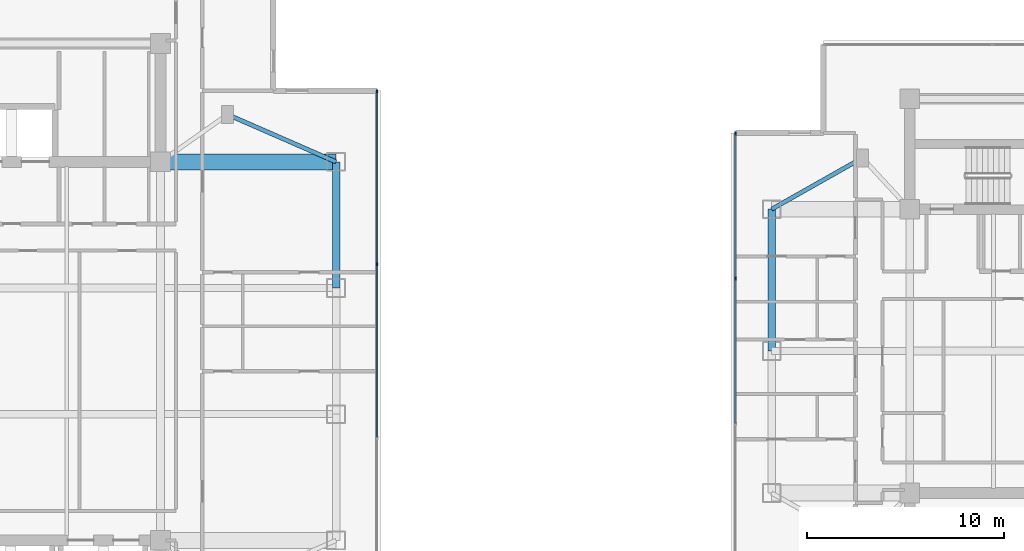
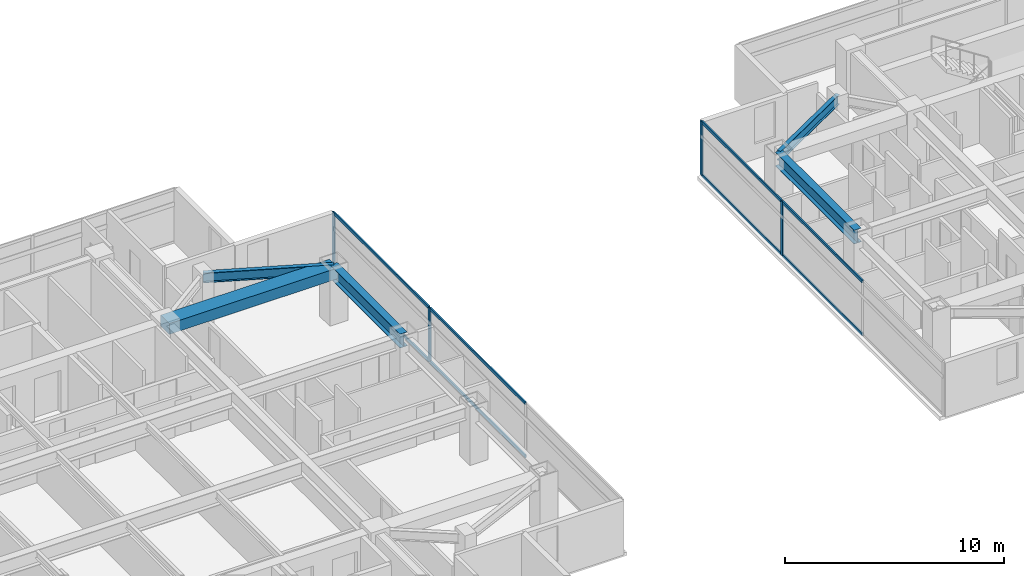
# One storey, part 6 of 24: 12 members, 5 beams, 2 elements without a shape of their own.
"""IFC4 building model written with IfcOpenShell, lengths in metres."""

import ifcopenshell
import ifcopenshell.guid

model = None  # the IFC model being written
_history = None  # IfcOwnerHistory: only IFC2X3 demands one
_inside = {}  # id of a spatial element -> (the spatial element, [elements in it])
_under = {}  # id of a project, library or spatial element -> (it, [spatial elements below it])
_declared = {}  # id of a project -> (the project, [libraries it declares])
_typed = {}  # id of a type object -> (the type object, [elements of that type])
_made_of = {}  # id of a material, layer set ... -> (it, [elements and type objects made of it])


def new_model(schema):
    """Start an empty IFC model of exactly this schema.

    Asked for "IFC4X3", IfcOpenShell would pick the latest addendum, in which some entities
    have other attributes; the version numbers below select the first issue.
    IFC2X3 requires an IfcOwnerHistory on every rooted entity: one is made here for all.
    """
    global model, _history
    if schema == "IFC4X3":
        model = ifcopenshell.file(schema_version=(4, 3, 0, 0))
    else:
        model = ifcopenshell.file(schema=schema)
    _inside.clear()
    _under.clear()
    _declared.clear()
    _typed.clear()
    _made_of.clear()
    _history = None
    if model.schema == "IFC2X3":
        org = make("IfcOrganization", Name="unknown")
        user = make(
            "IfcPersonAndOrganization",
            ThePerson=make("IfcPerson", FamilyName="unknown"),
            TheOrganization=org,
        )
        app = make(
            "IfcApplication",
            ApplicationDeveloper=org,
            Version="unknown",
            ApplicationFullName="unknown",
            ApplicationIdentifier="unknown",
        )
        _history = make(
            "IfcOwnerHistory",
            OwningUser=user,
            OwningApplication=app,
            ChangeAction="ADDED",
            CreationDate=0,
        )
    return model


def make(cls, **values):
    """One entity of the class cls with the attributes given. An attribute that is None is left unset."""
    return model.create_entity(
        cls, **{name: value for name, value in values.items() if value is not None}
    )


def rooted(cls, **values):
    """An entity with a GlobalId (a new one), such as an element, a storey or a relation."""
    return make(cls, GlobalId=ifcopenshell.guid.new(), OwnerHistory=_history, **values)


def si_unit(unit_type, name, prefix=None):
    """IfcSIUnit, for example si_unit("LENGTHUNIT", "METRE", prefix="MILLI")."""
    return make("IfcSIUnit", UnitType=unit_type, Prefix=prefix, Name=name)


def assignment(units):
    """IfcUnitAssignment: the units of a project."""
    return None if units is None else make("IfcUnitAssignment", Units=units)


def point(xyz):
    """IfcCartesianPoint."""
    return None if xyz is None else make("IfcCartesianPoint", Coordinates=xyz)


def direction(xyz):
    """IfcDirection."""
    return None if xyz is None else make("IfcDirection", DirectionRatios=xyz)


def frame(location, z_axis=None, x_axis=None):
    """IfcAxis2Placement3D, a coordinate frame: its origin and axes. An axis left out is left unset."""
    return make(
        "IfcAxis2Placement3D",
        Location=point(location),
        Axis=direction(z_axis),
        RefDirection=direction(x_axis),
    )


def frame_2d(location, x_axis=None):
    """IfcAxis2Placement2D, a coordinate frame in the plane: its origin and x axis."""
    return make(
        "IfcAxis2Placement2D", Location=point(location), RefDirection=direction(x_axis)
    )


def origin():
    """The frame at (0, 0, 0) with its axes left unset."""
    return frame((0.0, 0.0, 0.0))


def origin_2d():
    """The frame at (0, 0) in the plane with its x axis left unset."""
    return frame_2d((0.0, 0.0))


def place(relative_to, where):
    """IfcLocalPlacement: puts the frame where relative to a parent placement (None: the world)."""
    return make(
        "IfcLocalPlacement", PlacementRelTo=relative_to, RelativePlacement=where
    )


def context(
    kind, dimensions, precision=None, world=None, true_north=None, identifier=None
):
    """IfcGeometricRepresentationContext, for example the 3D "Model" context."""
    return make(
        "IfcGeometricRepresentationContext",
        ContextIdentifier=identifier,
        ContextType=kind,
        CoordinateSpaceDimension=dimensions,
        Precision=precision,
        WorldCoordinateSystem=world,
        TrueNorth=true_north,
    )


def subcontext(parent, identifier, kind, view, scale=None):
    """IfcGeometricRepresentationSubContext, for example "Body" below "Model"."""
    return make(
        "IfcGeometricRepresentationSubContext",
        ContextIdentifier=identifier,
        ContextType=kind,
        ParentContext=parent,
        TargetScale=scale,
        TargetView=view,
    )


def project(units=None, contexts=None):
    """IfcProject with its units and contexts."""
    return rooted(
        "IfcProject",
        Name="project",
        RepresentationContexts=contexts,
        UnitsInContext=assignment(units),
    )


def spatial(cls, under=None, at=None, **own):
    """A site, building, storey or space (cls), placed at a placement, below another one or the project."""
    s = rooted(cls, ObjectPlacement=at, **own)
    if under is not None:
        _under.setdefault(under.id(), (under, []))[1].append(s)
    return s


def profile(cls, at=None, kind="AREA", **sizes):
    """A parametric profile (cls). Its sizes go by their IFC names, for example OverallWidth=200.0."""
    return make(cls, ProfileType=kind, Position=at, **sizes)


def rectangle(**sizes):
    """IfcRectangleProfileDef."""
    return profile("IfcRectangleProfileDef", **sizes)


def i_section(**sizes):
    """IfcIShapeProfileDef."""
    return profile("IfcIShapeProfileDef", **sizes)


def extrude(swept, where, along, depth):
    """IfcExtrudedAreaSolid: the profile swept, set in the frame where, extruded along a direction by depth."""
    return make(
        "IfcExtrudedAreaSolid",
        SweptArea=swept,
        Position=where,
        ExtrudedDirection=direction(along),
        Depth=depth,
    )


def shape(context_of_items, identifier, shape_type, items):
    """IfcShapeRepresentation: the items that make up one representation, for example the "Body"."""
    return make(
        "IfcShapeRepresentation",
        ContextOfItems=context_of_items,
        RepresentationIdentifier=identifier,
        RepresentationType=shape_type,
        Items=items,
    )


def material(Name=None, Category=None):
    """IfcMaterial."""
    return make("IfcMaterial", Name=Name, Category=Category)


def material_profile(
    of_material, cross_section, Name=None, Category=None, Priority=None
):
    """IfcMaterialProfile: a cross section and its material."""
    return make(
        "IfcMaterialProfile",
        Name=Name,
        Material=of_material,
        Profile=cross_section,
        Priority=Priority,
        Category=Category,
    )


def profile_set(profiles, Name=None, composite=None):
    """IfcMaterialProfileSet."""
    return make(
        "IfcMaterialProfileSet",
        Name=Name,
        MaterialProfiles=profiles,
        CompositeProfile=composite,
    )


def made_of(thing, what):
    """Note that an element or type object is made of a material, layer set ...; save() writes the relation."""
    if what is not None:
        _made_of.setdefault(what.id(), (what, []))[1].append(thing)
    return thing


def type_object(cls, material=None, **own):
    """A type object (cls), such as IfcWallType, which elements share."""
    return made_of(rooted(cls, **own), material)


def element(
    cls,
    number,
    at=None,
    inside=None,
    cuts=None,
    type_object=None,
    material=None,
    context=None,
    identifier="Body",
    shape_type=None,
    held_by="IfcProductDefinitionShape",
    body=None,
    shapes=None,
    **own,
):
    """One element of the class cls, such as IfcWall. Its Tag is "e" and its number.

    at: its placement. inside: the storey or other place that contains it. cuts: it is an
    opening in that element (IfcRelVoidsElement). A single representation is given by context,
    identifier, shape_type and body (its items); several are given by shapes. held_by: the class
    of the entity that holds the representations. save() writes the other relations.
    """
    e = rooted(cls, Tag="e%d" % number, ObjectPlacement=at, **own)
    if body is not None:
        shapes = [shape(context, identifier, shape_type, body)]
    if shapes is not None:
        e.Representation = make(held_by, Representations=shapes)
    if inside is not None:
        _inside.setdefault(inside.id(), (inside, []))[1].append(e)
    if cuts is not None:
        rooted(
            "IfcRelVoidsElement", RelatingBuildingElement=cuts, RelatedOpeningElement=e
        )
    if type_object is not None:
        _typed.setdefault(type_object.id(), (type_object, []))[1].append(e)
    return made_of(e, material)


def aggregate(whole, parts):
    """IfcRelAggregates: a whole, such as a stair, and the parts it consists of."""
    return rooted("IfcRelAggregates", RelatingObject=whole, RelatedObjects=parts)


def save(model, path):
    """Write the relations noted so far, then the file.

    IfcRelAggregates (storeys below a building ...), IfcRelContainedInSpatialStructure (elements
    in a storey), IfcRelDefinesByType, IfcRelAssociatesMaterial and IfcRelDeclares: one each for
    every whole, place, type object, material and project.
    """
    for whole, parts in _under.values():
        aggregate(whole, parts)
    for where, things in _inside.values():
        rooted(
            "IfcRelContainedInSpatialStructure",
            RelatedElements=things,
            RelatingStructure=where,
        )
    for kind, things in _typed.values():
        rooted("IfcRelDefinesByType", RelatedObjects=things, RelatingType=kind)
    for what, things in _made_of.values():
        rooted("IfcRelAssociatesMaterial", RelatedObjects=things, RelatingMaterial=what)
    for by, libraries in _declared.values():
        rooted("IfcRelDeclares", RelatingContext=by, RelatedDefinitions=libraries)
    model.write(path)


model = new_model("IFC4")

# Units and contexts
model_context = context("Model", 3, precision=1e-05, world=origin(), true_north=direction((0.0, 1.0)))
body_context = subcontext(model_context, "Body", "Model", "MODEL_VIEW")
ifc_project = project(units=[si_unit("LENGTHUNIT", "METRE"), si_unit("AREAUNIT", "SQUARE_METRE"), si_unit("VOLUMEUNIT", "CUBIC_METRE"), si_unit("PLANEANGLEUNIT", "RADIAN"), si_unit("MASSUNIT", "GRAM", prefix="KILO")], contexts=[model_context])

# Site, building, storey
site_placement = place(None, origin())
site = spatial("IfcSite", under=ifc_project, at=site_placement, CompositionType="ELEMENT")
building_placement = place(site_placement, origin())
building = spatial("IfcBuilding", under=site, at=building_placement, Name="Mirazonda Arch Towers", CompositionType="ELEMENT")
storey_placement = place(building_placement, frame((0.0, 0.0, 164.14990234375)))
storey = spatial("IfcBuildingStorey", under=building, at=storey_placement, Name="L46", CompositionType="ELEMENT", Elevation=164.14990234375)

# Beams
ifc_material_1 = material(Name="Steel ASTM A992 Grade 50", Category="steel")
ifc_material_profile_1 = material_profile(ifc_material_1, i_section(OverallWidth=0.381103515625, OverallDepth=0.77294921875, WebThickness=0.0166015625, FlangeThickness=0.027099609375, at=origin_2d()), Name="W30X173")
ifc_profile_set_1 = profile_set([ifc_material_profile_1], Name="Steel ASTM A992 Grade 50")
beam_type_1 = type_object("IfcBeamType", Name="BM-EXT-W30X173", PredefinedType="USERDEFINED", material=ifc_profile_set_1)
beam_1_placement = place(storey_placement, frame((38.89990234375, 31.199951171875, 2.66357421875), z_axis=(0.0, 1.0, 0.0), x_axis=(-1.0, 0.0, 0.0)))
element("IfcBeam", 1, at=beam_1_placement, inside=storey, type_object=beam_type_1, Name="L46 Floor Beam BM-T1-L46-NS-E-31", ObjectType="GIRDER", PredefinedType="USERDEFINED", context=body_context, shape_type="SweptSolid", body=[
    extrude(i_section(OverallWidth=0.381103515625, OverallDepth=0.77294921875, WebThickness=0.0166015625, FlangeThickness=0.027099609375, at=origin_2d()), origin(), (0.0, 0.0, 1.0), 6.400146484375),
])
beam_2_placement = place(storey_placement, frame((61.0, 28.0, 2.66357421875), z_axis=(0.0, 1.0, 0.0), x_axis=(-1.0, 0.0, 0.0)))
element("IfcBeam", 2, at=beam_2_placement, inside=storey, type_object=beam_type_1, Name="L46 Floor Beam BM-T2-L46-NS-W-28", ObjectType="GIRDER", PredefinedType="USERDEFINED", context=body_context, shape_type="SweptSolid", body=[
    extrude(i_section(OverallWidth=0.381103515625, OverallDepth=0.77294921875, WebThickness=0.0166015625, FlangeThickness=0.027099609375, at=origin_2d()), origin(), (0.0, 0.0, 1.0), 7.199951171875),
])
ifc_material_profile_2 = material_profile(ifc_material_1, i_section(OverallWidth=0.214111328125, OverallDepth=0.549072265625, WebThickness=0.0146484375, FlangeThickness=0.023681640625, at=origin_2d()), Name="W21X93")
ifc_profile_set_2 = profile_set([ifc_material_profile_2], Name="Steel ASTM A992 Grade 50")
beam_type_2 = type_object("IfcBeamType", Name="BM-INT-W21X93", PredefinedType="BEAM", material=ifc_profile_set_2)
beam_3_placement = place(storey_placement, frame((33.39990234375, 40.0, 2.775634765625), z_axis=(0.916545343703, -0.399930785183, 0.0), x_axis=(0.399930785183, 0.916545343703, 0.0)))
element("IfcBeam", 3, at=beam_3_placement, inside=storey, type_object=beam_type_2, Name="L46 Floor Beam BM-T1-L46-PL-NE2", PredefinedType="BEAM", context=body_context, shape_type="SweptSolid", body=[
    extrude(i_section(OverallWidth=0.214111328125, OverallDepth=0.549072265625, WebThickness=0.0146484375, FlangeThickness=0.023681640625, at=origin_2d()), origin(), (0.0, 0.0, 1.0), 6.000732421875),
])
beam_4_placement = place(storey_placement, frame((65.60009765625, 37.800048828125, 2.775634765625), z_axis=(-0.870559396632, -0.492063346467, 0.0), x_axis=(0.492063346467, -0.870559396632, 0.0)))
element("IfcBeam", 4, at=beam_4_placement, inside=storey, type_object=beam_type_2, Name="L46 Floor Beam BM-T2-L46-PL-NW2", PredefinedType="BEAM", context=body_context, shape_type="SweptSolid", body=[
    extrude(i_section(OverallWidth=0.214111328125, OverallDepth=0.549072265625, WebThickness=0.0146484375, FlangeThickness=0.023681640625, at=origin_2d()), origin(), (0.0, 0.0, 1.0), 5.2841796875),
])
ifc_material_2 = material(Name="Concrete C60/75", Category="concrete")
ifc_material_profile_3 = material_profile(ifc_material_2, rectangle(XDim=0.800048828125, YDim=0.60009765625, at=origin_2d()), Name="RCCB800x600")
ifc_profile_set_3 = profile_set([ifc_material_profile_3], Name="Concrete C60/75")
beam_type_3 = type_object("IfcBeamType", Name="CB-INT-RCCB800x600", PredefinedType="SPANDREL", material=ifc_profile_set_3)
beam_5_placement = place(storey_placement, frame((30.0, 37.60009765625, 2.75), z_axis=(1.0, 0.0, 0.0), x_axis=(0.0, 1.0, 0.0)))
element("IfcBeam", 5, at=beam_5_placement, inside=storey, type_object=beam_type_3, Name="L46 Floor Beam CBC-T1-L46-NE", PredefinedType="SPANDREL", context=body_context, shape_type="SweptSolid", body=[
    extrude(rectangle(XDim=0.800048828125, YDim=0.60009765625, at=origin_2d()), origin(), (0.0, 0.0, 1.0), 8.89990234375),
])

# Curtain wall, members
ifc_material_3 = material(Name="Anodised Aluminium and Low-E Glass", Category="aluminium")
curtain_wall_type = type_object("IfcCurtainWallType", Name="CW-RES-UNIT", PredefinedType="NOTDEFINED", material=ifc_material_3)
curtain_wall_1_placement = place(storey_placement, origin())
curtain_wall_1 = element("IfcCurtainWall", 6, at=curtain_wall_1_placement, inside=storey, type_object=curtain_wall_type, Name="L46 T1 E Facade CW-L46-T1-E", PredefinedType="NOTDEFINED")
ifc_material_4 = material(Name="Anodised Aluminium Alloy", Category="aluminium")
ifc_material_profile_4 = material_profile(ifc_material_4, rectangle(XDim=0.074951171875, YDim=0.175048828125, at=origin_2d()), Name="ALU-MULL-75x175")
ifc_profile_set_4 = profile_set([ifc_material_profile_4], Name="Anodised Aluminium Alloy")
member_type_1 = type_object("IfcMemberType", Name="MULL-CW-RES-UNIT", PredefinedType="MULLION", material=ifc_profile_set_4)
member_1_placement = place(storey_placement, frame((40.969970703125, 32.40625, 0.0), z_axis=(0.0, 0.0, 1.0), x_axis=(-1.0, 0.0, 0.0)))
member_1 = element("IfcMember", 7, at=member_1_placement, type_object=member_type_1, Name="CW-104 mullion 3", PredefinedType="MULLION", context=body_context, shape_type="SweptSolid", body=[
    extrude(rectangle(XDim=0.074951171875, YDim=0.175048828125, at=origin_2d()), origin(), (0.0, 0.0, 1.0), 3.030029296875),
])
member_2_placement = place(storey_placement, frame((40.969970703125, 41.181396484375, 0.0), z_axis=(0.0, 0.0, 1.0), x_axis=(-1.0, 0.0, 0.0)))
member_2 = element("IfcMember", 8, at=member_2_placement, type_object=member_type_1, Name="CW-104 mullion 4", PredefinedType="MULLION", context=body_context, shape_type="SweptSolid", body=[
    extrude(rectangle(XDim=0.074951171875, YDim=0.175048828125, at=origin_2d()), origin(), (0.0, 0.0, 1.0), 3.030029296875),
])

curtain_wall_2_placement = place(storey_placement, origin())
curtain_wall_2 = element("IfcCurtainWall", 9, at=curtain_wall_2_placement, inside=storey, type_object=curtain_wall_type, Name="L46 T2 W Facade CW-L46-T2-W", PredefinedType="NOTDEFINED")
member_3_placement = place(storey_placement, frame((59.153564453125, 39.038818359375, 0.0), z_axis=(0.0, 0.0, 1.0), x_axis=(1.0, 0.0, 0.0)))
member_3 = element("IfcMember", 10, at=member_3_placement, type_object=member_type_1, Name="CW-104 mullion 1", PredefinedType="MULLION", context=body_context, shape_type="SweptSolid", body=[
    extrude(rectangle(XDim=0.074951171875, YDim=0.175048828125, at=origin_2d()), origin(), (0.0, 0.0, 1.0), 3.030029296875),
])
member_4_placement = place(storey_placement, frame((59.153564453125, 31.692138671875, 0.0), z_axis=(0.0, 0.0, 1.0), x_axis=(1.0, 0.0, 0.0)))
member_4 = element("IfcMember", 11, at=member_4_placement, type_object=member_type_1, Name="CW-104 mullion 2", PredefinedType="MULLION", context=body_context, shape_type="SweptSolid", body=[
    extrude(rectangle(XDim=0.074951171875, YDim=0.175048828125, at=origin_2d()), origin(), (0.0, 0.0, 1.0), 3.030029296875),
])

# Member
ifc_material_profile_5 = material_profile(ifc_material_4, rectangle(XDim=0.074951171875, YDim=0.155029296875, at=origin_2d()), Name="ALU-TRAN-75x155")
ifc_profile_set_5 = profile_set([ifc_material_profile_5], Name="Anodised Aluminium Alloy")
member_type_2 = type_object("IfcMemberType", Name="TRAN-CW-RES-UNIT", PredefinedType="USERDEFINED", material=ifc_profile_set_5)
member_5_placement = place(storey_placement, frame((40.969970703125, 23.631103515625, 0.03759765625), z_axis=(0.0, 1.0, 0.0), x_axis=(-1.0, 0.0, 0.0)))
member_5 = element("IfcMember", 12, at=member_5_placement, type_object=member_type_2, Name="CW-104 transom 2.1", ObjectType="TRANSOM", PredefinedType="USERDEFINED", context=body_context, shape_type="SweptSolid", body=[
    extrude(rectangle(XDim=0.074951171875, YDim=0.155029296875, at=origin_2d()), origin(), (0.0, 0.0, 1.0), 8.73779296875),
])

member_6_placement = place(storey_placement, frame((40.969970703125, 23.631103515625, 2.99267578125), z_axis=(0.0, 1.0, 0.0), x_axis=(-1.0, 0.0, 0.0)))
member_6 = element("IfcMember", 13, at=member_6_placement, type_object=member_type_2, Name="CW-104 transom 2.2", ObjectType="TRANSOM", PredefinedType="USERDEFINED", context=body_context, shape_type="SweptSolid", body=[
    extrude(rectangle(XDim=0.074951171875, YDim=0.155029296875, at=origin_2d()), origin(), (0.0, 0.0, 1.0), 8.73779296875),
])

member_7_placement = place(storey_placement, frame((40.969970703125, 32.44384765625, 0.03759765625), z_axis=(0.0, 1.0, 0.0), x_axis=(-1.0, 0.0, 0.0)))
member_7 = element("IfcMember", 14, at=member_7_placement, type_object=member_type_2, Name="CW-104 transom 3.1", ObjectType="TRANSOM", PredefinedType="USERDEFINED", context=body_context, shape_type="SweptSolid", body=[
    extrude(rectangle(XDim=0.074951171875, YDim=0.155029296875, at=origin_2d()), origin(), (0.0, 0.0, 1.0), 8.7001953125),
])

member_8_placement = place(storey_placement, frame((40.969970703125, 32.44384765625, 2.99267578125), z_axis=(0.0, 1.0, 0.0), x_axis=(-1.0, 0.0, 0.0)))
member_8 = element("IfcMember", 15, at=member_8_placement, type_object=member_type_2, Name="CW-104 transom 3.2", ObjectType="TRANSOM", PredefinedType="USERDEFINED", context=body_context, shape_type="SweptSolid", body=[
    extrude(rectangle(XDim=0.074951171875, YDim=0.155029296875, at=origin_2d()), origin(), (0.0, 0.0, 1.0), 8.7001953125),
])

aggregate(curtain_wall_1, [member_1, member_2, member_5, member_6, member_7, member_8])

member_9_placement = place(storey_placement, frame((59.153564453125, 39.001220703125, 0.03759765625), z_axis=(0.0, -1.0, 0.0), x_axis=(1.0, 0.0, 0.0)))
member_9 = element("IfcMember", 16, at=member_9_placement, type_object=member_type_2, Name="CW-104 transom 1.1", ObjectType="TRANSOM", PredefinedType="USERDEFINED", context=body_context, shape_type="SweptSolid", body=[
    extrude(rectangle(XDim=0.074951171875, YDim=0.155029296875, at=origin_2d()), origin(), (0.0, 0.0, 1.0), 7.271728515625),
])

member_10_placement = place(storey_placement, frame((59.153564453125, 39.001220703125, 2.99267578125), z_axis=(0.0, -1.0, 0.0), x_axis=(1.0, 0.0, 0.0)))
member_10 = element("IfcMember", 17, at=member_10_placement, type_object=member_type_2, Name="CW-104 transom 1.2", ObjectType="TRANSOM", PredefinedType="USERDEFINED", context=body_context, shape_type="SweptSolid", body=[
    extrude(rectangle(XDim=0.074951171875, YDim=0.155029296875, at=origin_2d()), origin(), (0.0, 0.0, 1.0), 7.271728515625),
])

member_11_placement = place(storey_placement, frame((59.153564453125, 31.654541015625, 0.03759765625), z_axis=(0.0, -1.0, 0.0), x_axis=(1.0, 0.0, 0.0)))
member_11 = element("IfcMember", 18, at=member_11_placement, type_object=member_type_2, Name="CW-104 transom 2.1", ObjectType="TRANSOM", PredefinedType="USERDEFINED", context=body_context, shape_type="SweptSolid", body=[
    extrude(rectangle(XDim=0.074951171875, YDim=0.155029296875, at=origin_2d()), origin(), (0.0, 0.0, 1.0), 7.30908203125),
])

member_12_placement = place(storey_placement, frame((59.153564453125, 31.654541015625, 2.99267578125), z_axis=(0.0, -1.0, 0.0), x_axis=(1.0, 0.0, 0.0)))
member_12 = element("IfcMember", 19, at=member_12_placement, type_object=member_type_2, Name="CW-104 transom 2.2", ObjectType="TRANSOM", PredefinedType="USERDEFINED", context=body_context, shape_type="SweptSolid", body=[
    extrude(rectangle(XDim=0.074951171875, YDim=0.155029296875, at=origin_2d()), origin(), (0.0, 0.0, 1.0), 7.30908203125),
])

aggregate(curtain_wall_2, [member_3, member_4, member_9, member_10, member_11, member_12])

save(model, "model.ifc")
